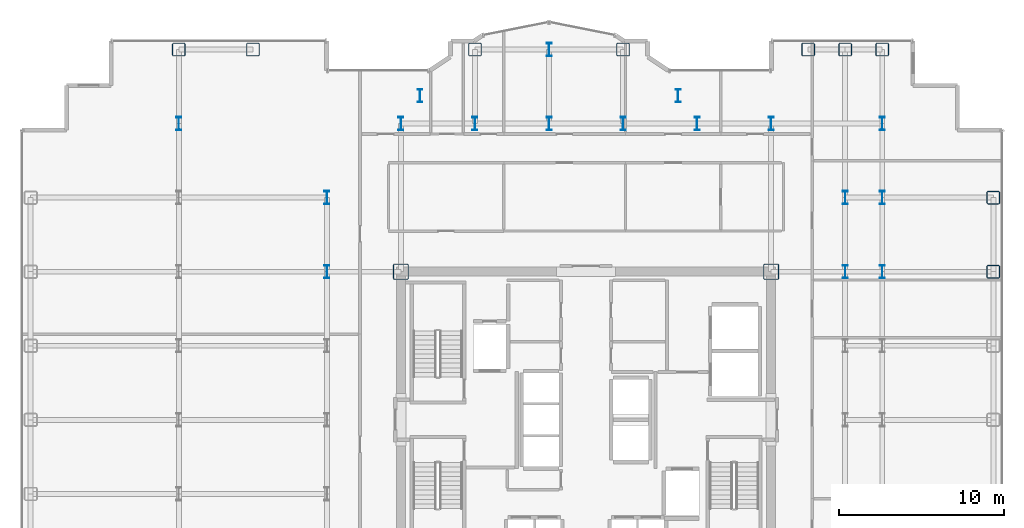
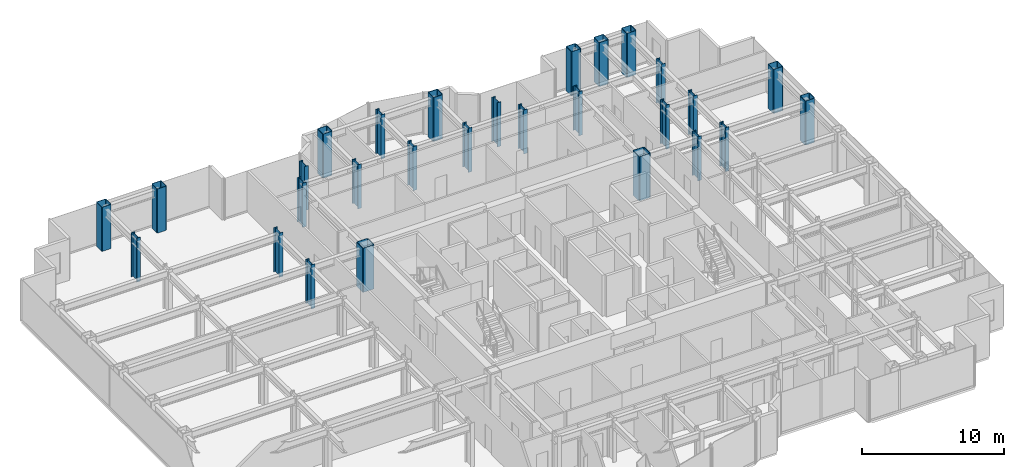
# One storey, part 2 of 23: 28 columns.
"""IFC4 building model written with IfcOpenShell, lengths in metres."""

from ifc_helpers import new_model, si_unit, direction, frame, origin, origin_2d, place, context, subcontext, project, spatial, hollow_rectangle, i_section, extrude, source, transform, mapped, material, material_profile, profile_set, type_object, element, save


model = new_model("IFC4")

# Units and contexts
model_context = context("Model", 3, precision=1e-05, world=origin(), true_north=direction((0.0, 1.0)))
body_context = subcontext(model_context, "Body", "Model", "MODEL_VIEW")
ifc_project = project(units=[si_unit("LENGTHUNIT", "METRE"), si_unit("AREAUNIT", "SQUARE_METRE"), si_unit("VOLUMEUNIT", "CUBIC_METRE"), si_unit("PLANEANGLEUNIT", "RADIAN"), si_unit("MASSUNIT", "GRAM", prefix="KILO")], contexts=[model_context])

# Site, building, storey
site_placement = place(None, origin())
site = spatial("IfcSite", under=ifc_project, at=site_placement, CompositionType="ELEMENT")
building_placement = place(site_placement, origin())
building = spatial("IfcBuilding", under=site, at=building_placement, Name="Nefas-Gora Pilgrimage Tower", CompositionType="ELEMENT")
storey_placement = place(building_placement, frame((0.0, 0.0, 152.60009765625)))
storey = spatial("IfcBuildingStorey", under=building, at=storey_placement, Name="L37", CompositionType="ELEMENT", Elevation=152.60009765625)

# Columns
ifc_material = material(Name="Steel S460", Category="steel")
ifc_material_profile_1 = material_profile(ifc_material, hollow_rectangle(XDim=0.949951171875, YDim=0.949951171875, WallThickness=0.044921875, InnerFilletRadius=0.044921875, OuterFilletRadius=0.090087890625, at=origin_2d()), Name="BOX 950x950x45")
ifc_profile_set_1 = profile_set([ifc_material_profile_1], Name="Steel S460")
column_type_1 = type_object("IfcColumnType", Name="COL-CORE-950", PredefinedType="COLUMN", material=ifc_profile_set_1)
shared_shape_1 = source(origin(), body_context, "Body", "SweptSolid", [
    extrude(hollow_rectangle(XDim=0.949951171875, YDim=0.949951171875, WallThickness=0.044921875, InnerFilletRadius=0.044921875, OuterFilletRadius=0.090087890625, at=origin_2d()), origin(), (0.0, 0.0, 1.0), 3.7998046875),
])
for number, where, z_axis, x_axis, name in (
    (1, (-11.25, 9.0, 0.0), (0.0, 0.0, 1.0), (1.0, 0.0, 0.0), "L37 Tower Column CC-Z1.30"),
    (2, (11.25, 9.0, 0.0), (0.0, 0.0, 1.0), (1.0, 0.0, 0.0), "L37 Tower Column CC-Z1.52"),
):
    element("IfcColumn", number, at=place(storey_placement, frame(where, z_axis=z_axis, x_axis=x_axis)), inside=storey, type_object=column_type_1, Name=name, PredefinedType="COLUMN", context=body_context, shape_type="MappedRepresentation", body=[
        mapped(shared_shape_1, transform((0.0, 0.0, 0.0), x_axis=(1.0, 0.0, 0.0), y_axis=(0.0, 1.0, 0.0), z_axis=(0.0, 0.0, 1.0), scale=1.0)),
    ])
ifc_material_profile_2 = material_profile(ifc_material, hollow_rectangle(XDim=0.800048828125, YDim=0.800048828125, WallThickness=0.0400390625, InnerFilletRadius=0.0400390625, OuterFilletRadius=0.080078125, at=origin_2d()), Name="BOX 800x800x40")
ifc_profile_set_2 = profile_set([ifc_material_profile_2], Name="Steel S460")
column_type_2 = type_object("IfcColumnType", Name="COL-TUBE-800", PredefinedType="COLUMN", material=ifc_profile_set_2)
shared_shape_2 = source(origin(), body_context, "Body", "SweptSolid", [
    extrude(hollow_rectangle(XDim=0.800048828125, YDim=0.800048828125, WallThickness=0.0400390625, InnerFilletRadius=0.0400390625, OuterFilletRadius=0.080078125, at=origin_2d()), origin(), (0.0, 0.0, 1.0), 3.7998046875),
])
for number, where, z_axis, x_axis, name in (
    (3, (-24.75, 22.5, 0.0), (0.0, 0.0, 1.0), (1.0, 0.0, 0.0), "L37 Tower Column C-Z2.18"),
    (4, (-20.25, 22.5, 0.0), (0.0, 0.0, 1.0), (1.0, 0.0, 0.0), "L37 Tower Column C-Z2.20"),
    (5, (-6.75, 22.5, 0.0), (0.0, 0.0, 1.0), (1.0, 0.0, 0.0), "L37 Tower Column C-Z2.37"),
    (6, (2.25, 22.5, 0.0), (0.0, 0.0, 1.0), (1.0, 0.0, 0.0), "L37 Tower Column C-Z2.45"),
    (7, (13.5, 22.5, 0.0), (0.0, 0.0, 1.0), (1.0, 0.0, 0.0), "L37 Tower Column C-Z2.55"),
    (8, (15.75, 22.5, 0.0), (0.0, 0.0, 1.0), (1.0, 0.0, 0.0), "L37 Tower Column C-Z2.64"),
    (9, (18.0, 22.5, 0.0), (0.0, 0.0, 1.0), (1.0, 0.0, 0.0), "L37 Tower Column C-Z2.75"),
    (10, (24.75, 9.0, 0.0), (0.0, 0.0, 1.0), (1.0, 0.0, 0.0), "L37 Tower Column C-Z2.81"),
    (11, (24.75, 13.5, 0.0), (0.0, 0.0, 1.0), (1.0, 0.0, 0.0), "L37 Tower Column C-Z2.82"),
):
    element("IfcColumn", number, at=place(storey_placement, frame(where, z_axis=z_axis, x_axis=x_axis)), inside=storey, type_object=column_type_2, Name=name, PredefinedType="COLUMN", context=body_context, shape_type="MappedRepresentation", body=[
        mapped(shared_shape_2, transform((0.0, 0.0, 0.0), x_axis=(1.0, 0.0, 0.0), y_axis=(0.0, 1.0, 0.0), z_axis=(0.0, 0.0, 1.0), scale=1.0)),
    ])
ifc_material_profile_3 = material_profile(ifc_material, i_section(OverallWidth=0.302978515625, OverallDepth=0.81396484375, WebThickness=0.02099609375, FlangeThickness=0.0400390625, FilletRadius=0.030029296875, at=origin_2d()), Name="HEM 800")
ifc_profile_set_3 = profile_set([ifc_material_profile_3], Name="Steel S460")
column_type_3 = type_object("IfcColumnType", Name="COL-WEB-HEM800", PredefinedType="COLUMN", material=ifc_profile_set_3)
shared_shape_3 = source(origin(), body_context, "Body", "SweptSolid", [
    extrude(i_section(OverallWidth=0.302978515625, OverallDepth=0.81396484375, WebThickness=0.02099609375, FlangeThickness=0.0400390625, FilletRadius=0.030029296875, at=origin_2d()), origin(), (0.0, 0.0, 1.0), 3.7998046875),
])
for number, where, z_axis, x_axis, name in (
    (12, (-24.75, 18.0, 0.0), (0.0, 0.0, 1.0), (1.0, 0.0, 0.0), "L37 Tower Column CW-02.17"),
    (13, (-15.75, 9.0, 0.0), (0.0, 0.0, 1.0), (1.0, 0.0, 0.0), "L37 Tower Column CW-02.26"),
    (14, (-15.75, 13.5, 0.0), (0.0, 0.0, 1.0), (1.0, 0.0, 0.0), "L37 Tower Column CW-02.27"),
    (15, (-11.25, 18.0, 0.0), (0.0, 0.0, 1.0), (1.0, 0.0, 0.0), "L37 Tower Column CW-02.31"),
    (16, (-10.091064453125, 19.696044921875, 0.0), (0.0, 0.0, 1.0), (1.0, 0.0, 0.0), "L37 Tower Column CW-02.33"),
    (17, (-6.75, 18.0, 0.0), (0.0, 0.0, 1.0), (1.0, 0.0, 0.0), "L37 Tower Column CW-02.36"),
    (18, (-2.25, 18.0, 0.0), (0.0, 0.0, 1.0), (1.0, 0.0, 0.0), "L37 Tower Column CW-02.40"),
    (19, (-2.25, 22.5, 0.0), (0.0, 0.0, 1.0), (1.0, 0.0, 0.0), "L37 Tower Column CW-02.41"),
    (20, (2.25, 18.0, 0.0), (0.0, 0.0, 1.0), (1.0, 0.0, 0.0), "L37 Tower Column CW-02.44"),
    (21, (5.591064453125, 19.696044921875, 0.0), (0.0, 0.0, 1.0), (1.0, 0.0, 0.0), "L37 Tower Column CW-02.47"),
    (22, (6.75, 18.0, 0.0), (0.0, 0.0, 1.0), (1.0, 0.0, 0.0), "L37 Tower Column CW-02.49"),
    (23, (11.25, 18.0, 0.0), (0.0, 0.0, 1.0), (1.0, 0.0, 0.0), "L37 Tower Column CW-02.53"),
    (24, (15.75, 9.0, 0.0), (0.0, 0.0, 1.0), (1.0, 0.0, 0.0), "L37 Tower Column CW-02.62"),
    (25, (15.75, 13.5, 0.0), (0.0, 0.0, 1.0), (1.0, 0.0, 0.0), "L37 Tower Column CW-02.63"),
    (26, (18.0, 9.0, 0.0), (0.0, 0.0, 1.0), (1.0, 0.0, 0.0), "L37 Tower Column CW-02.72"),
    (27, (18.0, 13.5, 0.0), (0.0, 0.0, 1.0), (1.0, 0.0, 0.0), "L37 Tower Column CW-02.73"),
    (28, (18.0, 18.0, 0.0), (0.0, 0.0, 1.0), (1.0, 0.0, 0.0), "L37 Tower Column CW-02.74"),
):
    element("IfcColumn", number, at=place(storey_placement, frame(where, z_axis=z_axis, x_axis=x_axis)), inside=storey, type_object=column_type_3, Name=name, PredefinedType="COLUMN", context=body_context, shape_type="MappedRepresentation", body=[
        mapped(shared_shape_3, transform((0.0, 0.0, 0.0), x_axis=(1.0, 0.0, 0.0), y_axis=(0.0, 1.0, 0.0), z_axis=(0.0, 0.0, 1.0), scale=1.0)),
    ])

save(model, "model.ifc")
